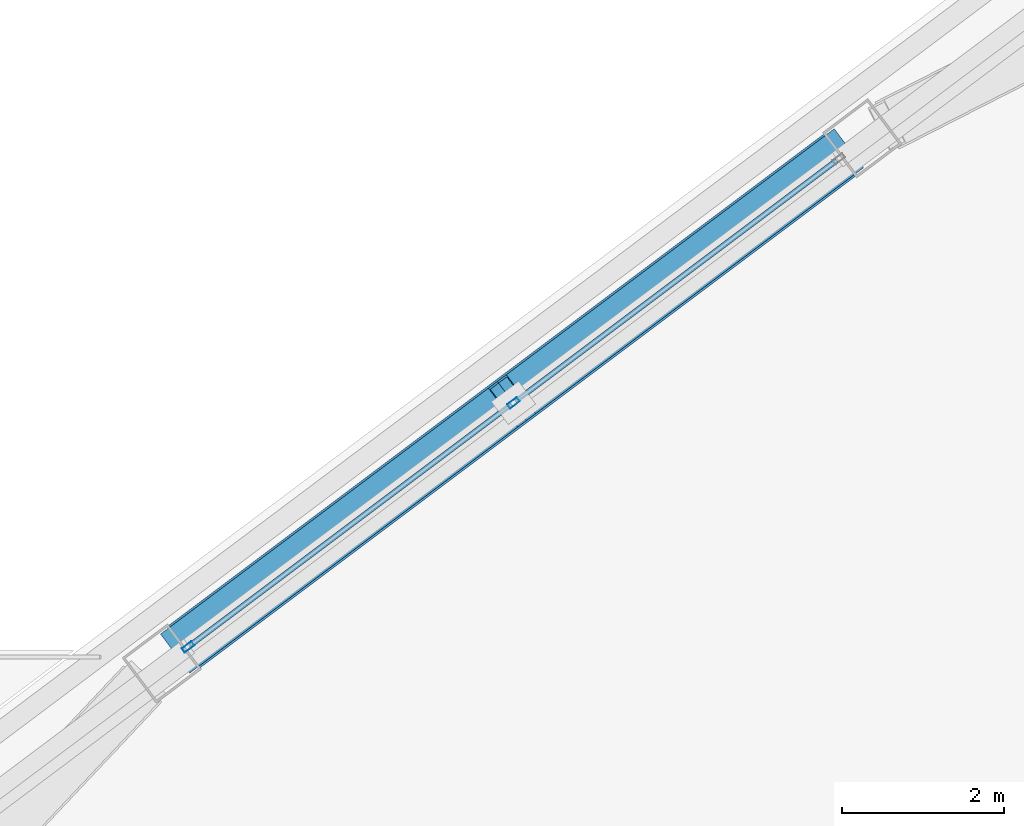
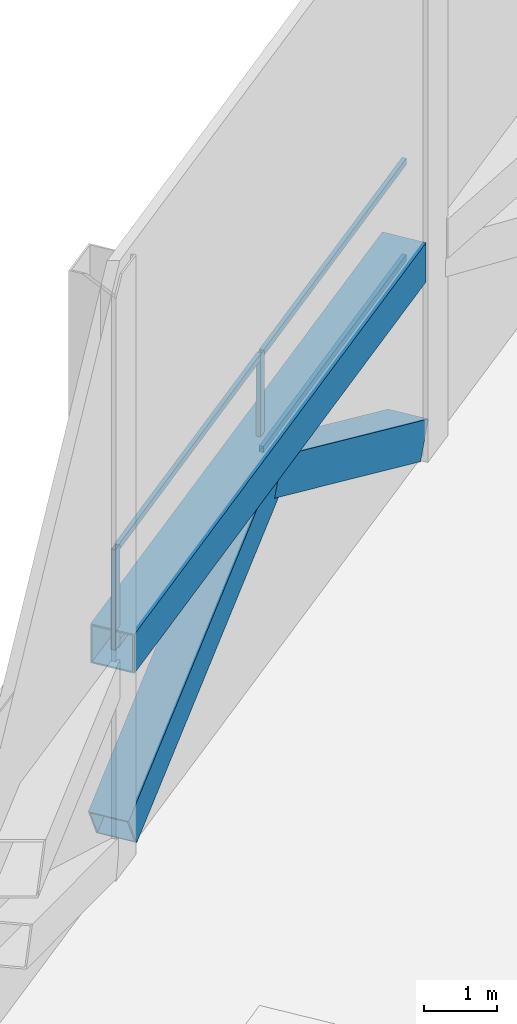
# One storey, part 21 of 37: 8 members, 1 beam, 1 element without a shape of its own.
"""IFC4 building model written with IfcOpenShell, lengths in metres."""

import ifcopenshell
import ifcopenshell.guid

model = None  # the IFC model being written
_history = None  # IfcOwnerHistory: only IFC2X3 demands one
_inside = {}  # id of a spatial element -> (the spatial element, [elements in it])
_under = {}  # id of a project, library or spatial element -> (it, [spatial elements below it])
_declared = {}  # id of a project -> (the project, [libraries it declares])
_typed = {}  # id of a type object -> (the type object, [elements of that type])
_made_of = {}  # id of a material, layer set ... -> (it, [elements and type objects made of it])


def new_model(schema):
    """Start an empty IFC model of exactly this schema.

    Asked for "IFC4X3", IfcOpenShell would pick the latest addendum, in which some entities
    have other attributes; the version numbers below select the first issue.
    IFC2X3 requires an IfcOwnerHistory on every rooted entity: one is made here for all.
    """
    global model, _history
    if schema == "IFC4X3":
        model = ifcopenshell.file(schema_version=(4, 3, 0, 0))
    else:
        model = ifcopenshell.file(schema=schema)
    _inside.clear()
    _under.clear()
    _declared.clear()
    _typed.clear()
    _made_of.clear()
    _history = None
    if model.schema == "IFC2X3":
        org = make("IfcOrganization", Name="unknown")
        user = make(
            "IfcPersonAndOrganization",
            ThePerson=make("IfcPerson", FamilyName="unknown"),
            TheOrganization=org,
        )
        app = make(
            "IfcApplication",
            ApplicationDeveloper=org,
            Version="unknown",
            ApplicationFullName="unknown",
            ApplicationIdentifier="unknown",
        )
        _history = make(
            "IfcOwnerHistory",
            OwningUser=user,
            OwningApplication=app,
            ChangeAction="ADDED",
            CreationDate=0,
        )
    return model


def make(cls, **values):
    """One entity of the class cls with the attributes given. An attribute that is None is left unset."""
    return model.create_entity(
        cls, **{name: value for name, value in values.items() if value is not None}
    )


def rooted(cls, **values):
    """An entity with a GlobalId (a new one), such as an element, a storey or a relation."""
    return make(cls, GlobalId=ifcopenshell.guid.new(), OwnerHistory=_history, **values)


def si_unit(unit_type, name, prefix=None):
    """IfcSIUnit, for example si_unit("LENGTHUNIT", "METRE", prefix="MILLI")."""
    return make("IfcSIUnit", UnitType=unit_type, Prefix=prefix, Name=name)


def assignment(units):
    """IfcUnitAssignment: the units of a project."""
    return None if units is None else make("IfcUnitAssignment", Units=units)


def point(xyz):
    """IfcCartesianPoint."""
    return None if xyz is None else make("IfcCartesianPoint", Coordinates=xyz)


def direction(xyz):
    """IfcDirection."""
    return None if xyz is None else make("IfcDirection", DirectionRatios=xyz)


def frame(location, z_axis=None, x_axis=None):
    """IfcAxis2Placement3D, a coordinate frame: its origin and axes. An axis left out is left unset."""
    return make(
        "IfcAxis2Placement3D",
        Location=point(location),
        Axis=direction(z_axis),
        RefDirection=direction(x_axis),
    )


def frame_2d(location, x_axis=None):
    """IfcAxis2Placement2D, a coordinate frame in the plane: its origin and x axis."""
    return make(
        "IfcAxis2Placement2D", Location=point(location), RefDirection=direction(x_axis)
    )


def origin():
    """The frame at (0, 0, 0) with its axes left unset."""
    return frame((0.0, 0.0, 0.0))


def origin_2d():
    """The frame at (0, 0) in the plane with its x axis left unset."""
    return frame_2d((0.0, 0.0))


def place(relative_to, where):
    """IfcLocalPlacement: puts the frame where relative to a parent placement (None: the world)."""
    return make(
        "IfcLocalPlacement", PlacementRelTo=relative_to, RelativePlacement=where
    )


def context(
    kind, dimensions, precision=None, world=None, true_north=None, identifier=None
):
    """IfcGeometricRepresentationContext, for example the 3D "Model" context."""
    return make(
        "IfcGeometricRepresentationContext",
        ContextIdentifier=identifier,
        ContextType=kind,
        CoordinateSpaceDimension=dimensions,
        Precision=precision,
        WorldCoordinateSystem=world,
        TrueNorth=true_north,
    )


def subcontext(parent, identifier, kind, view, scale=None):
    """IfcGeometricRepresentationSubContext, for example "Body" below "Model"."""
    return make(
        "IfcGeometricRepresentationSubContext",
        ContextIdentifier=identifier,
        ContextType=kind,
        ParentContext=parent,
        TargetScale=scale,
        TargetView=view,
    )


def project(units=None, contexts=None):
    """IfcProject with its units and contexts."""
    return rooted(
        "IfcProject",
        Name="project",
        RepresentationContexts=contexts,
        UnitsInContext=assignment(units),
    )


def spatial(cls, under=None, at=None, **own):
    """A site, building, storey or space (cls), placed at a placement, below another one or the project."""
    s = rooted(cls, ObjectPlacement=at, **own)
    if under is not None:
        _under.setdefault(under.id(), (under, []))[1].append(s)
    return s


def profile(cls, at=None, kind="AREA", **sizes):
    """A parametric profile (cls). Its sizes go by their IFC names, for example OverallWidth=200.0."""
    return make(cls, ProfileType=kind, Position=at, **sizes)


def hollow_rectangle(**sizes):
    """IfcRectangleHollowProfileDef."""
    return profile("IfcRectangleHollowProfileDef", **sizes)


def extrude(swept, where, along, depth):
    """IfcExtrudedAreaSolid: the profile swept, set in the frame where, extruded along a direction by depth."""
    return make(
        "IfcExtrudedAreaSolid",
        SweptArea=swept,
        Position=where,
        ExtrudedDirection=direction(along),
        Depth=depth,
    )


def shape(context_of_items, identifier, shape_type, items):
    """IfcShapeRepresentation: the items that make up one representation, for example the "Body"."""
    return make(
        "IfcShapeRepresentation",
        ContextOfItems=context_of_items,
        RepresentationIdentifier=identifier,
        RepresentationType=shape_type,
        Items=items,
    )


def material(Name=None, Category=None):
    """IfcMaterial."""
    return make("IfcMaterial", Name=Name, Category=Category)


def material_profile(
    of_material, cross_section, Name=None, Category=None, Priority=None
):
    """IfcMaterialProfile: a cross section and its material."""
    return make(
        "IfcMaterialProfile",
        Name=Name,
        Material=of_material,
        Profile=cross_section,
        Priority=Priority,
        Category=Category,
    )


def profile_set(profiles, Name=None, composite=None):
    """IfcMaterialProfileSet."""
    return make(
        "IfcMaterialProfileSet",
        Name=Name,
        MaterialProfiles=profiles,
        CompositeProfile=composite,
    )


def made_of(thing, what):
    """Note that an element or type object is made of a material, layer set ...; save() writes the relation."""
    if what is not None:
        _made_of.setdefault(what.id(), (what, []))[1].append(thing)
    return thing


def type_object(cls, material=None, **own):
    """A type object (cls), such as IfcWallType, which elements share."""
    return made_of(rooted(cls, **own), material)


def element(
    cls,
    number,
    at=None,
    inside=None,
    cuts=None,
    type_object=None,
    material=None,
    context=None,
    identifier="Body",
    shape_type=None,
    held_by="IfcProductDefinitionShape",
    body=None,
    shapes=None,
    **own,
):
    """One element of the class cls, such as IfcWall. Its Tag is "e" and its number.

    at: its placement. inside: the storey or other place that contains it. cuts: it is an
    opening in that element (IfcRelVoidsElement). A single representation is given by context,
    identifier, shape_type and body (its items); several are given by shapes. held_by: the class
    of the entity that holds the representations. save() writes the other relations.
    """
    e = rooted(cls, Tag="e%d" % number, ObjectPlacement=at, **own)
    if body is not None:
        shapes = [shape(context, identifier, shape_type, body)]
    if shapes is not None:
        e.Representation = make(held_by, Representations=shapes)
    if inside is not None:
        _inside.setdefault(inside.id(), (inside, []))[1].append(e)
    if cuts is not None:
        rooted(
            "IfcRelVoidsElement", RelatingBuildingElement=cuts, RelatedOpeningElement=e
        )
    if type_object is not None:
        _typed.setdefault(type_object.id(), (type_object, []))[1].append(e)
    return made_of(e, material)


def aggregate(whole, parts):
    """IfcRelAggregates: a whole, such as a stair, and the parts it consists of."""
    return rooted("IfcRelAggregates", RelatingObject=whole, RelatedObjects=parts)


def save(model, path):
    """Write the relations noted so far, then the file.

    IfcRelAggregates (storeys below a building ...), IfcRelContainedInSpatialStructure (elements
    in a storey), IfcRelDefinesByType, IfcRelAssociatesMaterial and IfcRelDeclares: one each for
    every whole, place, type object, material and project.
    """
    for whole, parts in _under.values():
        aggregate(whole, parts)
    for where, things in _inside.values():
        rooted(
            "IfcRelContainedInSpatialStructure",
            RelatedElements=things,
            RelatingStructure=where,
        )
    for kind, things in _typed.values():
        rooted("IfcRelDefinesByType", RelatedObjects=things, RelatingType=kind)
    for what, things in _made_of.values():
        rooted("IfcRelAssociatesMaterial", RelatedObjects=things, RelatingMaterial=what)
    for by, libraries in _declared.values():
        rooted("IfcRelDeclares", RelatingContext=by, RelatedDefinitions=libraries)
    model.write(path)


model = new_model("IFC4")

# Units and contexts
model_context = context("Model", 3, precision=1e-05, world=origin(), true_north=direction((0.0, 1.0)))
body_context = subcontext(model_context, "Body", "Model", "MODEL_VIEW")
ifc_project = project(units=[si_unit("LENGTHUNIT", "METRE"), si_unit("AREAUNIT", "SQUARE_METRE"), si_unit("VOLUMEUNIT", "CUBIC_METRE"), si_unit("PLANEANGLEUNIT", "RADIAN"), si_unit("MASSUNIT", "GRAM", prefix="KILO")], contexts=[model_context])

# Site, building, storey
site_placement = place(None, origin())
site = spatial("IfcSite", under=ifc_project, at=site_placement, CompositionType="ELEMENT")
building_placement = place(site_placement, origin())
building = spatial("IfcBuilding", under=site, at=building_placement, Name="Tashvorn Skyway Center", CompositionType="ELEMENT")
storey_placement = place(building_placement, frame((0.0, 0.0, 263.39990234375)))
storey = spatial("IfcBuildingStorey", under=building, at=storey_placement, Name="L71", CompositionType="ELEMENT", Elevation=263.39990234375)

# Beam
ifc_material_1 = material(Name="Steel ASTM A572 Grade 50", Category="steel")
ifc_material_profile_1 = material_profile(ifc_material_1, hollow_rectangle(XDim=0.64990234375, YDim=0.64990234375, WallThickness=0.02490234375, at=origin_2d()), Name="BOX650x650x25")
ifc_profile_set_1 = profile_set([ifc_material_profile_1], Name="Steel ASTM A572 Grade 50")
beam_type = type_object("IfcBeamType", Name="BM-BEAM-BOX650x650x25", PredefinedType="BEAM", material=ifc_profile_set_1)
beam_placement = place(storey_placement, frame((109.73388671875, 46.113037109375, 3.316650390625), z_axis=(-0.8, -0.6, 0.0), x_axis=(0.6, -0.8, 0.0)))
element("IfcBeam", 1, at=beam_placement, inside=storey, type_object=beam_type, Name="CROWN FRAME Tower 2 Lower-Tier Ring Beam 08", PredefinedType="BEAM", context=body_context, shape_type="SweptSolid", body=[
    extrude(hollow_rectangle(XDim=0.64990234375, YDim=0.64990234375, WallThickness=0.02490234375, at=origin_2d()), origin(), (0.0, 0.0, 1.0), 10.10986328125),
])

# Curtain wall, members
ifc_material_2 = material(Name="Thermally broken bronze-anodized aluminium 6063-T6", Category="aluminium")
curtain_wall_type = type_object("IfcCurtainWallType", Name="CW-CW-SKY", PredefinedType="NOTDEFINED", material=ifc_material_2)
curtain_wall_placement = place(storey_placement, origin())
curtain_wall = element("IfcCurtainWall", 2, at=curtain_wall_placement, inside=storey, type_object=curtain_wall_type, Name="CROWN Lantern Fritted Curtain Wall T2 N-3", PredefinedType="NOTDEFINED")
ifc_material_profile_2 = material_profile(ifc_material_2, hollow_rectangle(XDim=0.06494140625, YDim=0.14990234375, WallThickness=0.00390625, at=origin_2d()), Name="ALU-MULL-65x150")
ifc_profile_set_2 = profile_set([ifc_material_profile_2], Name="Thermally broken bronze-anodized aluminium 6063-T6")
member_type_1 = type_object("IfcMemberType", Name="CWM-CW-SKY", PredefinedType="MULLION", material=ifc_profile_set_2)
member_1_placement = place(storey_placement, frame((101.694091796875, 40.04541015625, 3.330078125), z_axis=(0.0, 0.0, 1.0), x_axis=(-0.600000000002, 0.799999999998, 0.0)))
member_1 = element("IfcMember", 3, at=member_1_placement, type_object=member_type_1, Name="CW-SKY mullion 1", PredefinedType="MULLION", context=body_context, shape_type="SweptSolid", body=[
    extrude(hollow_rectangle(XDim=0.06494140625, YDim=0.14990234375, WallThickness=0.00390625, at=origin_2d()), origin(), (0.0, 0.0, 1.0), 1.6650390625),
])
member_2_placement = place(storey_placement, frame((105.7080078125, 43.055908203125, 3.330078125), z_axis=(0.0, 0.0, 1.0), x_axis=(-0.600000000002, 0.799999999998, 0.0)))
member_2 = element("IfcMember", 4, at=member_2_placement, type_object=member_type_1, Name="CW-SKY mullion 2", PredefinedType="MULLION", context=body_context, shape_type="SweptSolid", body=[
    extrude(hollow_rectangle(XDim=0.06494140625, YDim=0.14990234375, WallThickness=0.00390625, at=origin_2d()), origin(), (0.0, 0.0, 1.0), 1.6650390625),
])
ifc_material_profile_3 = material_profile(ifc_material_2, hollow_rectangle(XDim=0.06494140625, YDim=0.10498046875, WallThickness=0.00390625, at=origin_2d()), Name="ALU-TRAN-65x105")
ifc_profile_set_3 = profile_set([ifc_material_profile_3], Name="Thermally broken bronze-anodized aluminium 6063-T6")
member_type_2 = type_object("IfcMemberType", Name="CWT-CW-SKY", PredefinedType="USERDEFINED", material=ifc_profile_set_3)
member_3_placement = place(storey_placement, frame((101.719970703125, 40.06494140625, 3.362548828125), z_axis=(0.799976337273, 0.600031549007, 0.0), x_axis=(-0.600031549007, 0.799976337273, 0.0)))
member_3 = element("IfcMember", 5, at=member_3_placement, type_object=member_type_2, Name="CW-SKY transom 1.1", ObjectType="TRANSOM", PredefinedType="USERDEFINED", context=body_context, shape_type="SweptSolid", body=[
    extrude(hollow_rectangle(XDim=0.06494140625, YDim=0.10498046875, WallThickness=0.00390625, at=origin_2d()), origin(), (0.0, 0.0, 1.0), 4.95263671875),
])
member_4_placement = place(storey_placement, frame((101.719970703125, 40.06494140625, 4.962646484375), z_axis=(0.799976337273, 0.600031549007, 0.0), x_axis=(-0.600031549007, 0.799976337273, 0.0)))
member_4 = element("IfcMember", 6, at=member_4_placement, type_object=member_type_2, Name="CW-SKY transom 1.2", ObjectType="TRANSOM", PredefinedType="USERDEFINED", context=body_context, shape_type="SweptSolid", body=[
    extrude(hollow_rectangle(XDim=0.06494140625, YDim=0.10498046875, WallThickness=0.00390625, at=origin_2d()), origin(), (0.0, 0.0, 1.0), 4.95263671875),
])
member_5_placement = place(storey_placement, frame((105.73388671875, 43.075439453125, 3.362548828125), z_axis=(0.799994084668, 0.600007887028, 0.0), x_axis=(-0.600007887028, 0.799994084668, 0.0)))
member_5 = element("IfcMember", 7, at=member_5_placement, type_object=member_type_2, Name="CW-SKY transom 2.1", ObjectType="TRANSOM", PredefinedType="USERDEFINED", context=body_context, shape_type="SweptSolid", body=[
    extrude(hollow_rectangle(XDim=0.06494140625, YDim=0.10498046875, WallThickness=0.00390625, at=origin_2d()), origin(), (0.0, 0.0, 1.0), 4.95263671875),
])
member_6_placement = place(storey_placement, frame((105.73388671875, 43.075439453125, 4.962646484375), z_axis=(0.799994084668, 0.600007887028, 0.0), x_axis=(-0.600007887028, 0.799994084668, 0.0)))
member_6 = element("IfcMember", 8, at=member_6_placement, type_object=member_type_2, Name="CW-SKY transom 2.2", ObjectType="TRANSOM", PredefinedType="USERDEFINED", context=body_context, shape_type="SweptSolid", body=[
    extrude(hollow_rectangle(XDim=0.06494140625, YDim=0.10498046875, WallThickness=0.00390625, at=origin_2d()), origin(), (0.0, 0.0, 1.0), 4.95263671875),
])
aggregate(curtain_wall, [member_1, member_2, member_3, member_4, member_5, member_6])

# Members
ifc_material_profile_4 = material_profile(ifc_material_1, hollow_rectangle(XDim=0.60009765625, YDim=0.60009765625, WallThickness=0.02490234375, at=origin_2d()), Name="BOX600x600x25")
ifc_profile_set_4 = profile_set([ifc_material_profile_4], Name="Steel ASTM A572 Grade 50")
member_type_3 = type_object("IfcMemberType", Name="MEM-CF-BRC-600", PredefinedType="BRACE", material=ifc_profile_set_4)
for number, where, z_axis, x_axis, name in (
    (9, (109.73388671875, 46.113037109375, 0.35009765625), (-0.708728196001, -0.531546147001, 0.463856699641), (0.6, -0.8, 0.0), "CROWN FRAME Tower 2 Tier-1 Chevron Brace 08A"),
    (10, (101.64599609375, 40.047119140625, 0.35009765625), (0.708728196001, 0.531546147001, 0.463856699641), (-0.6, 0.8, 0.0), "CROWN FRAME Tower 2 Tier-1 Chevron Brace 08B"),
):
    element("IfcMember", number, at=place(storey_placement, frame(where, z_axis=z_axis, x_axis=x_axis)), inside=storey, type_object=member_type_3, Name=name, PredefinedType="BRACE", context=body_context, shape_type="SweptSolid", body=[
        extrude(hollow_rectangle(XDim=0.60009765625, YDim=0.60009765625, WallThickness=0.02490234375, at=origin_2d()), origin(), (0.0, 0.0, 1.0), 5.705810546875),
    ])

save(model, "model.ifc")
